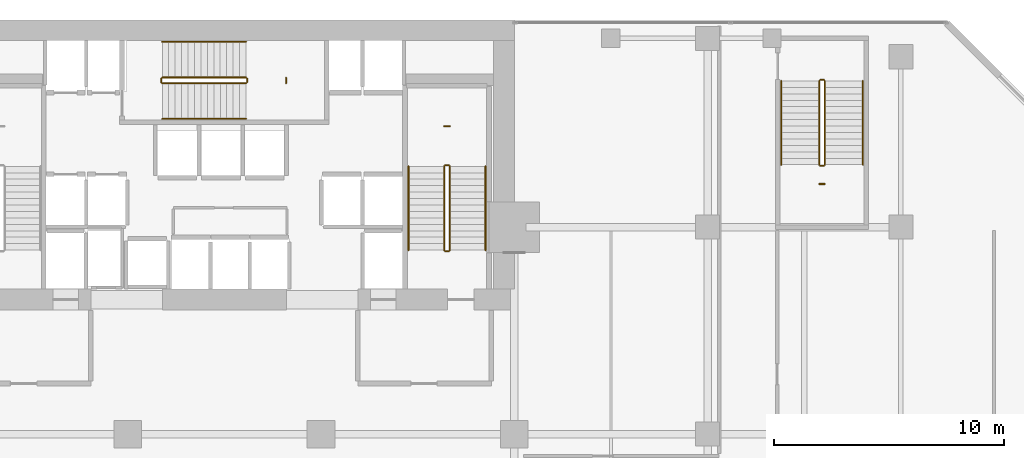
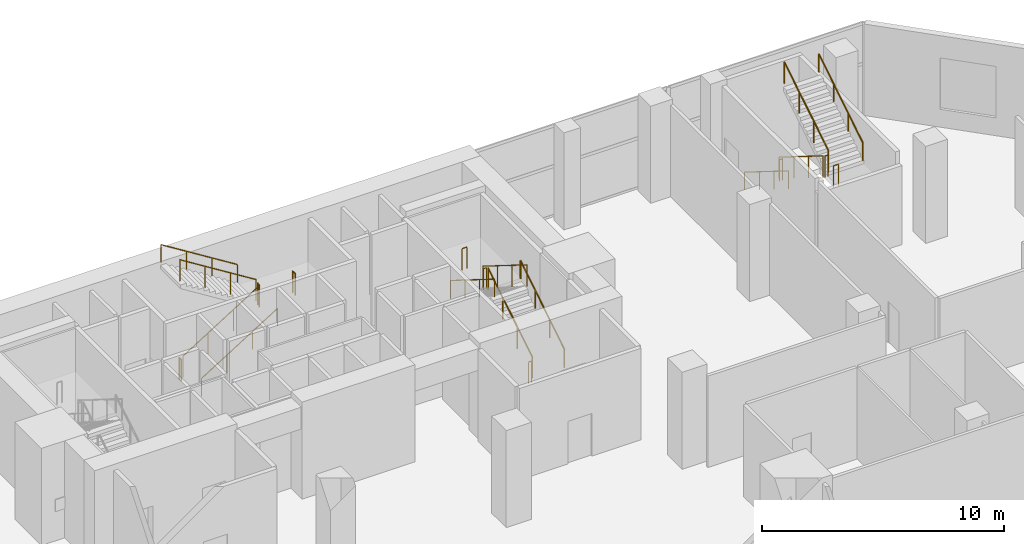
# One storey, part 39 of 39: 21 railings.
"""IFC4 building model written with IfcOpenShell, lengths in metres."""

from ifc_helpers import new_model, si_unit, direction, frame, origin, origin_2d, place, context, subcontext, project, spatial, circle, extrude, material, type_object, element, save


model = new_model("IFC4")

# Units and contexts
model_context = context("Model", 3, precision=1e-05, world=origin(), true_north=direction((0.0, 1.0)))
body_context = subcontext(model_context, "Body", "Model", "MODEL_VIEW")
ifc_project = project(units=[si_unit("LENGTHUNIT", "METRE"), si_unit("AREAUNIT", "SQUARE_METRE"), si_unit("VOLUMEUNIT", "CUBIC_METRE"), si_unit("PLANEANGLEUNIT", "RADIAN"), si_unit("MASSUNIT", "GRAM", prefix="KILO")], contexts=[model_context])

# Site, building, storey
site_placement = place(None, origin())
site = spatial("IfcSite", under=ifc_project, at=site_placement, CompositionType="ELEMENT")
building_placement = place(site_placement, origin())
building = spatial("IfcBuilding", under=site, at=building_placement, Name="Maruvema Waterfront Hotel and Observation Tower", CompositionType="ELEMENT")
storey_placement = place(building_placement, frame((0.0, 0.0, 16.449951171875)))
storey = spatial("IfcBuildingStorey", under=building, at=storey_placement, Name="L03", CompositionType="ELEMENT", Elevation=16.449951171875)

# Railings
ifc_material_1 = material(Name="Brushed stainless steel Grade 316", Category="steel")
railing_type_1 = type_object("IfcRailingType", Name="Ramp Continuous Wall Handrail 920 mm", PredefinedType="HANDRAIL", material=ifc_material_1)
railing_1_placement = place(storey_placement, frame((35.10009765625, 49.699951171875, 0.175048828125)))
element("IfcRailing", 1, at=railing_1_placement, inside=storey, type_object=railing_type_1, Name="L03 ST-02 stair handrail 1", PredefinedType="HANDRAIL", context=body_context, shape_type="SweptSolid", body=[
    extrude(circle(Radius=0.02392578125, at=origin_2d()), frame((0.0, 0.0, 0.89599609375), z_axis=(0.848001499411, 0.0, 0.52999382732), x_axis=(0.0, 1.0, 0.0)), (0.0, 0.0, 1.0), 4.292236328125),
    extrude(circle(Radius=0.02099609375, at=origin_2d()), origin(), (0.0, 0.0, 1.0), 0.871826171875),
    extrude(circle(Radius=0.02099609375, at=origin_2d()), frame((1.21337890625, 0.0, 0.75830078125)), (0.0, 0.0, 1.0), 0.871826171875),
    extrude(circle(Radius=0.02099609375, at=origin_2d()), frame((2.426513671875, 0.0, 1.5166015625)), (0.0, 0.0, 1.0), 0.871826171875),
    extrude(circle(Radius=0.02099609375, at=origin_2d()), frame((3.639892578125, 0.0, 2.27490234375)), (0.0, 0.0, 1.0), 0.871826171875),
])
railing_2_placement = place(storey_placement, frame((38.739990234375, 53.050048828125, 2.625)))
element("IfcRailing", 2, at=railing_2_placement, inside=storey, type_object=railing_type_1, Name="L03 ST-02 stair handrail 2", PredefinedType="HANDRAIL", context=body_context, shape_type="SweptSolid", body=[
    extrude(circle(Radius=0.02392578125, at=origin_2d()), frame((0.0, 0.0, 0.89599609375), z_axis=(-0.847975935976, 0.0, 0.530034727169), x_axis=(0.0, -1.0, 0.0)), (0.0, 0.0, 1.0), 4.29248046875),
    extrude(circle(Radius=0.02099609375, at=origin_2d()), origin(), (0.0, 0.0, 1.0), 0.871826171875),
    extrude(circle(Radius=0.02099609375, at=origin_2d()), frame((-1.21337890625, 0.0, 0.75830078125)), (0.0, 0.0, 1.0), 0.871826171875),
    extrude(circle(Radius=0.02099609375, at=origin_2d()), frame((-2.426513671875, 0.0, 1.516845703125)), (0.0, 0.0, 1.0), 0.871826171875),
    extrude(circle(Radius=0.02099609375, at=origin_2d()), frame((-3.639892578125, 0.0, 2.275146484375)), (0.0, 0.0, 1.0), 0.871826171875),
])
railing_3_placement = place(storey_placement, frame((49.14990234375, 44.0, 0.175048828125)))
element("IfcRailing", 3, at=railing_3_placement, inside=storey, type_object=railing_type_1, Name="L03 ST-03 stair handrail 1", PredefinedType="HANDRAIL", context=body_context, shape_type="SweptSolid", body=[
    extrude(circle(Radius=0.02392578125, at=origin_2d()), frame((0.0, 0.0, 0.89599609375), z_axis=(0.0, 0.848001499411, 0.52999382732), x_axis=(-1.0, 0.0, 0.0)), (0.0, 0.0, 1.0), 4.292236328125),
    extrude(circle(Radius=0.02099609375, at=origin_2d()), origin(), (0.0, 0.0, 1.0), 0.871826171875),
    extrude(circle(Radius=0.02099609375, at=origin_2d()), frame((0.0, 1.21337890625, 0.75830078125)), (0.0, 0.0, 1.0), 0.871826171875),
    extrude(circle(Radius=0.02099609375, at=origin_2d()), frame((0.0, 2.426513671875, 1.5166015625)), (0.0, 0.0, 1.0), 0.871826171875),
    extrude(circle(Radius=0.02099609375, at=origin_2d()), frame((0.0, 3.639892578125, 2.27490234375)), (0.0, 0.0, 1.0), 0.871826171875),
])
railing_4_placement = place(storey_placement, frame((45.800048828125, 47.639892578125, 2.625)))
element("IfcRailing", 4, at=railing_4_placement, inside=storey, type_object=railing_type_1, Name="L03 ST-03 stair handrail 2", PredefinedType="HANDRAIL", context=body_context, shape_type="SweptSolid", body=[
    extrude(circle(Radius=0.02392578125, at=origin_2d()), frame((0.0, 0.0, 0.89599609375), z_axis=(0.0, -0.847975935976, 0.530034727169), x_axis=(1.0, 0.0, 0.0)), (0.0, 0.0, 1.0), 4.29248046875),
    extrude(circle(Radius=0.02099609375, at=origin_2d()), origin(), (0.0, 0.0, 1.0), 0.871826171875),
    extrude(circle(Radius=0.02099609375, at=origin_2d()), frame((0.0, -1.21337890625, 0.75830078125)), (0.0, 0.0, 1.0), 0.871826171875),
    extrude(circle(Radius=0.02099609375, at=origin_2d()), frame((0.0, -2.426513671875, 1.516845703125)), (0.0, 0.0, 1.0), 0.871826171875),
    extrude(circle(Radius=0.02099609375, at=origin_2d()), frame((0.0, -3.639892578125, 2.275146484375)), (0.0, 0.0, 1.0), 0.871826171875),
])
railing_5_placement = place(storey_placement, frame((62.0, 51.35009765625, 0.175048828125)))
element("IfcRailing", 5, at=railing_5_placement, inside=storey, type_object=railing_type_1, Name="L03 ST-05 stair handrail 1", PredefinedType="HANDRAIL", context=body_context, shape_type="SweptSolid", body=[
    extrude(circle(Radius=0.02392578125, at=origin_2d()), frame((0.0, 0.0, 0.89599609375), z_axis=(0.0, -0.848017475052, 0.529968265093), x_axis=(1.0, 0.0, 0.0)), (0.0, 0.0, 1.0), 4.29248046875),
    extrude(circle(Radius=0.02099609375, at=origin_2d()), origin(), (0.0, 0.0, 1.0), 0.871826171875),
    extrude(circle(Radius=0.02099609375, at=origin_2d()), frame((0.0, -1.21337890625, 0.75830078125)), (0.0, 0.0, 1.0), 0.871826171875),
    extrude(circle(Radius=0.02099609375, at=origin_2d()), frame((0.0, -2.4267578125, 1.5166015625)), (0.0, 0.0, 1.0), 0.871826171875),
    extrude(circle(Radius=0.02099609375, at=origin_2d()), frame((0.0, -3.64013671875, 2.27490234375)), (0.0, 0.0, 1.0), 0.871826171875),
])
railing_6_placement = place(storey_placement, frame((65.550048828125, 47.7099609375, 2.625)))
element("IfcRailing", 6, at=railing_6_placement, inside=storey, type_object=railing_type_1, Name="L03 ST-05 stair handrail 2", PredefinedType="HANDRAIL", context=body_context, shape_type="SweptSolid", body=[
    extrude(circle(Radius=0.02392578125, at=origin_2d()), frame((0.0, 0.0, 0.89599609375), z_axis=(0.0, 0.847991913602, 0.530009164511), x_axis=(-1.0, 0.0, 0.0)), (0.0, 0.0, 1.0), 4.292724609375),
    extrude(circle(Radius=0.02099609375, at=origin_2d()), origin(), (0.0, 0.0, 1.0), 0.871826171875),
    extrude(circle(Radius=0.02099609375, at=origin_2d()), frame((0.0, 1.21337890625, 0.75830078125)), (0.0, 0.0, 1.0), 0.871826171875),
    extrude(circle(Radius=0.02099609375, at=origin_2d()), frame((0.0, 2.4267578125, 1.516845703125)), (0.0, 0.0, 1.0), 0.871826171875),
    extrude(circle(Radius=0.02099609375, at=origin_2d()), frame((0.0, 3.64013671875, 2.275146484375)), (0.0, 0.0, 1.0), 0.871826171875),
])
ifc_material_2 = material(Name="Brushed stainless steel Grade 316", Category="steel")
railing_type_2 = type_object("IfcRailingType", Name="Ramp and Terrace Guard Balustrade 1100 mm", PredefinedType="BALUSTRADE", material=ifc_material_2)
railing_7_placement = place(storey_placement, frame((35.10009765625, 51.25, 0.175048828125)))
element("IfcRailing", 7, at=railing_7_placement, inside=storey, type_object=railing_type_2, Name="L03 ST-02 stair guard 1", PredefinedType="BALUSTRADE", context=body_context, shape_type="SweptSolid", body=[
    extrude(circle(Radius=0.02392578125, at=origin_2d()), frame((0.0, 0.0, 1.076171875), z_axis=(0.848001499411, 0.0, 0.52999382732), x_axis=(0.0, 1.0, 0.0)), (0.0, 0.0, 1.0), 4.292236328125),
    extrude(circle(Radius=0.02099609375, at=origin_2d()), origin(), (0.0, 0.0, 1.0), 1.052001953125),
    extrude(circle(Radius=0.02099609375, at=origin_2d()), frame((1.21337890625, 0.0, 0.75830078125)), (0.0, 0.0, 1.0), 1.052001953125),
    extrude(circle(Radius=0.02099609375, at=origin_2d()), frame((2.426513671875, 0.0, 1.5166015625)), (0.0, 0.0, 1.0), 1.052001953125),
    extrude(circle(Radius=0.02099609375, at=origin_2d()), frame((3.639892578125, 0.0, 2.27490234375)), (0.0, 0.0, 1.0), 1.052001953125),
])
railing_8_placement = place(storey_placement, frame((38.7900390625, 51.300048828125, 2.449951171875)))
element("IfcRailing", 8, at=railing_8_placement, inside=storey, type_object=railing_type_2, Name="L03 ST-02 stair guard 2", PredefinedType="BALUSTRADE", context=body_context, shape_type="SweptSolid", body=[
    extrude(circle(Radius=0.02392578125, at=origin_2d()), frame((0.0, 0.0, 1.076171875), z_axis=(0.0, 1.0, 0.0), x_axis=(-1.0, 0.0, 0.0)), (0.0, 0.0, 1.0), 0.14990234375),
    extrude(circle(Radius=0.02099609375, at=origin_2d()), origin(), (0.0, 0.0, 1.0), 1.052001953125),
    extrude(circle(Radius=0.02099609375, at=origin_2d()), frame((0.0, 0.14990234375, 0.0)), (0.0, 0.0, 1.0), 1.052001953125),
])
railing_9_placement = place(storey_placement, frame((38.739990234375, 51.5, 2.625)))
element("IfcRailing", 9, at=railing_9_placement, inside=storey, type_object=railing_type_2, Name="L03 ST-02 stair guard 3", PredefinedType="BALUSTRADE", context=body_context, shape_type="SweptSolid", body=[
    extrude(circle(Radius=0.02392578125, at=origin_2d()), frame((0.0, 0.0, 1.076171875), z_axis=(-0.847975935976, 0.0, 0.530034727169), x_axis=(0.0, -1.0, 0.0)), (0.0, 0.0, 1.0), 4.29248046875),
    extrude(circle(Radius=0.02099609375, at=origin_2d()), origin(), (0.0, 0.0, 1.0), 1.052001953125),
    extrude(circle(Radius=0.02099609375, at=origin_2d()), frame((-1.21337890625, 0.0, 0.75830078125)), (0.0, 0.0, 1.0), 1.052001953125),
    extrude(circle(Radius=0.02099609375, at=origin_2d()), frame((-2.426513671875, 0.0, 1.516845703125)), (0.0, 0.0, 1.0), 1.052001953125),
    extrude(circle(Radius=0.02099609375, at=origin_2d()), frame((-3.639892578125, 0.0, 2.275146484375)), (0.0, 0.0, 1.0), 1.052001953125),
])
railing_10_placement = place(storey_placement, frame((35.050048828125, 51.300048828125, 0.0)))
element("IfcRailing", 10, at=railing_10_placement, inside=storey, type_object=railing_type_2, Name="L03 ST-02 stair guard 4", PredefinedType="BALUSTRADE", context=body_context, shape_type="SweptSolid", body=[
    extrude(circle(Radius=0.02392578125, at=origin_2d()), frame((0.0, 0.0, 1.076171875), z_axis=(0.0, 1.0, 0.0), x_axis=(-1.0, 0.0, 0.0)), (0.0, 0.0, 1.0), 0.14990234375),
    extrude(circle(Radius=0.02099609375, at=origin_2d()), origin(), (0.0, 0.0, 1.0), 1.052001953125),
    extrude(circle(Radius=0.02099609375, at=origin_2d()), frame((0.0, 0.14990234375, 0.0)), (0.0, 0.0, 1.0), 1.052001953125),
])
railing_11_placement = place(storey_placement, frame((40.47998046875, 51.260009765625, 2.449951171875)))
element("IfcRailing", 11, at=railing_11_placement, inside=storey, type_object=railing_type_2, Name="L03 ST-02 Half-Landing Slot Guard", PredefinedType="BALUSTRADE", context=body_context, shape_type="SweptSolid", body=[
    extrude(circle(Radius=0.02392578125, at=origin_2d()), frame((0.0, 0.0, 1.076171875), z_axis=(0.0, 1.0, 0.0), x_axis=(-1.0, 0.0, 0.0)), (0.0, 0.0, 1.0), 0.22998046875),
    extrude(circle(Radius=0.02099609375, at=origin_2d()), origin(), (0.0, 0.0, 1.0), 1.052001953125),
    extrude(circle(Radius=0.02099609375, at=origin_2d()), frame((0.0, 0.22998046875, 0.0)), (0.0, 0.0, 1.0), 1.052001953125),
])
railing_12_placement = place(storey_placement, frame((47.60009765625, 44.0, 0.175048828125)))
element("IfcRailing", 12, at=railing_12_placement, inside=storey, type_object=railing_type_2, Name="L03 ST-03 stair guard 1", PredefinedType="BALUSTRADE", context=body_context, shape_type="SweptSolid", body=[
    extrude(circle(Radius=0.02392578125, at=origin_2d()), frame((0.0, 0.0, 1.076171875), z_axis=(0.0, 0.848001499411, 0.52999382732), x_axis=(-1.0, 0.0, 0.0)), (0.0, 0.0, 1.0), 4.292236328125),
    extrude(circle(Radius=0.02099609375, at=origin_2d()), origin(), (0.0, 0.0, 1.0), 1.052001953125),
    extrude(circle(Radius=0.02099609375, at=origin_2d()), frame((0.0, 1.21337890625, 0.75830078125)), (0.0, 0.0, 1.0), 1.052001953125),
    extrude(circle(Radius=0.02099609375, at=origin_2d()), frame((0.0, 2.426513671875, 1.5166015625)), (0.0, 0.0, 1.0), 1.052001953125),
    extrude(circle(Radius=0.02099609375, at=origin_2d()), frame((0.0, 3.639892578125, 2.27490234375)), (0.0, 0.0, 1.0), 1.052001953125),
])
railing_13_placement = place(storey_placement, frame((47.550048828125, 47.68994140625, 2.449951171875)))
element("IfcRailing", 13, at=railing_13_placement, inside=storey, type_object=railing_type_2, Name="L03 ST-03 stair guard 2", PredefinedType="BALUSTRADE", context=body_context, shape_type="SweptSolid", body=[
    extrude(circle(Radius=0.02392578125, at=origin_2d()), frame((0.0, 0.0, 1.076171875), z_axis=(-1.0, 0.0, 0.0), x_axis=(0.0, -1.0, 0.0)), (0.0, 0.0, 1.0), 0.150146484375),
    extrude(circle(Radius=0.02099609375, at=origin_2d()), origin(), (0.0, 0.0, 1.0), 1.052001953125),
    extrude(circle(Radius=0.02099609375, at=origin_2d()), frame((-0.150146484375, 0.0, 0.0)), (0.0, 0.0, 1.0), 1.052001953125),
])
railing_14_placement = place(storey_placement, frame((47.35009765625, 47.639892578125, 2.625)))
element("IfcRailing", 14, at=railing_14_placement, inside=storey, type_object=railing_type_2, Name="L03 ST-03 stair guard 3", PredefinedType="BALUSTRADE", context=body_context, shape_type="SweptSolid", body=[
    extrude(circle(Radius=0.02392578125, at=origin_2d()), frame((0.0, 0.0, 1.076171875), z_axis=(0.0, -0.847975935976, 0.530034727169), x_axis=(1.0, 0.0, 0.0)), (0.0, 0.0, 1.0), 4.29248046875),
    extrude(circle(Radius=0.02099609375, at=origin_2d()), origin(), (0.0, 0.0, 1.0), 1.052001953125),
    extrude(circle(Radius=0.02099609375, at=origin_2d()), frame((0.0, -1.21337890625, 0.75830078125)), (0.0, 0.0, 1.0), 1.052001953125),
    extrude(circle(Radius=0.02099609375, at=origin_2d()), frame((0.0, -2.426513671875, 1.516845703125)), (0.0, 0.0, 1.0), 1.052001953125),
    extrude(circle(Radius=0.02099609375, at=origin_2d()), frame((0.0, -3.639892578125, 2.275146484375)), (0.0, 0.0, 1.0), 1.052001953125),
])
railing_15_placement = place(storey_placement, frame((47.550048828125, 43.949951171875, 0.0)))
element("IfcRailing", 15, at=railing_15_placement, inside=storey, type_object=railing_type_2, Name="L03 ST-03 stair guard 4", PredefinedType="BALUSTRADE", context=body_context, shape_type="SweptSolid", body=[
    extrude(circle(Radius=0.02392578125, at=origin_2d()), frame((0.0, 0.0, 1.076171875), z_axis=(-1.0, 0.0, 0.0), x_axis=(0.0, -1.0, 0.0)), (0.0, 0.0, 1.0), 0.150146484375),
    extrude(circle(Radius=0.02099609375, at=origin_2d()), origin(), (0.0, 0.0, 1.0), 1.052001953125),
    extrude(circle(Radius=0.02099609375, at=origin_2d()), frame((-0.150146484375, 0.0, 0.0)), (0.0, 0.0, 1.0), 1.052001953125),
])
railing_16_placement = place(storey_placement, frame((47.590087890625, 49.3798828125, 2.449951171875)))
element("IfcRailing", 16, at=railing_16_placement, inside=storey, type_object=railing_type_2, Name="L03 ST-03 Half-Landing Slot Guard", PredefinedType="BALUSTRADE", context=body_context, shape_type="SweptSolid", body=[
    extrude(circle(Radius=0.02392578125, at=origin_2d()), frame((0.0, 0.0, 1.076171875), z_axis=(-1.0, 0.0, 0.0), x_axis=(0.0, -1.0, 0.0)), (0.0, 0.0, 1.0), 0.22998046875),
    extrude(circle(Radius=0.02099609375, at=origin_2d()), origin(), (0.0, 0.0, 1.0), 1.052001953125),
    extrude(circle(Radius=0.02099609375, at=origin_2d()), frame((-0.22998046875, 0.0, 0.0)), (0.0, 0.0, 1.0), 1.052001953125),
])
railing_17_placement = place(storey_placement, frame((63.64990234375, 51.35009765625, 0.175048828125)))
element("IfcRailing", 17, at=railing_17_placement, inside=storey, type_object=railing_type_2, Name="L03 ST-05 stair guard 1", PredefinedType="BALUSTRADE", context=body_context, shape_type="SweptSolid", body=[
    extrude(circle(Radius=0.02392578125, at=origin_2d()), frame((0.0, 0.0, 1.076171875), z_axis=(0.0, -0.848017475052, 0.529968265093), x_axis=(1.0, 0.0, 0.0)), (0.0, 0.0, 1.0), 4.29248046875),
    extrude(circle(Radius=0.02099609375, at=origin_2d()), origin(), (0.0, 0.0, 1.0), 1.052001953125),
    extrude(circle(Radius=0.02099609375, at=origin_2d()), frame((0.0, -1.21337890625, 0.75830078125)), (0.0, 0.0, 1.0), 1.052001953125),
    extrude(circle(Radius=0.02099609375, at=origin_2d()), frame((0.0, -2.4267578125, 1.5166015625)), (0.0, 0.0, 1.0), 1.052001953125),
    extrude(circle(Radius=0.02099609375, at=origin_2d()), frame((0.0, -3.64013671875, 2.27490234375)), (0.0, 0.0, 1.0), 1.052001953125),
])
railing_18_placement = place(storey_placement, frame((63.699951171875, 47.659912109375, 2.449951171875)))
element("IfcRailing", 18, at=railing_18_placement, inside=storey, type_object=railing_type_2, Name="L03 ST-05 stair guard 2", PredefinedType="BALUSTRADE", context=body_context, shape_type="SweptSolid", body=[
    extrude(circle(Radius=0.02392578125, at=origin_2d()), frame((0.0, 0.0, 1.076171875), z_axis=(1.0, 0.0, 0.0), x_axis=(0.0, 1.0, 0.0)), (0.0, 0.0, 1.0), 0.150146484375),
    extrude(circle(Radius=0.02099609375, at=origin_2d()), origin(), (0.0, 0.0, 1.0), 1.052001953125),
    extrude(circle(Radius=0.02099609375, at=origin_2d()), frame((0.150146484375, 0.0, 0.0)), (0.0, 0.0, 1.0), 1.052001953125),
])
railing_19_placement = place(storey_placement, frame((63.89990234375, 47.7099609375, 2.625)))
element("IfcRailing", 19, at=railing_19_placement, inside=storey, type_object=railing_type_2, Name="L03 ST-05 stair guard 3", PredefinedType="BALUSTRADE", context=body_context, shape_type="SweptSolid", body=[
    extrude(circle(Radius=0.02392578125, at=origin_2d()), frame((0.0, 0.0, 1.076171875), z_axis=(0.0, 0.847991913602, 0.530009164511), x_axis=(-1.0, 0.0, 0.0)), (0.0, 0.0, 1.0), 4.292724609375),
    extrude(circle(Radius=0.02099609375, at=origin_2d()), origin(), (0.0, 0.0, 1.0), 1.052001953125),
    extrude(circle(Radius=0.02099609375, at=origin_2d()), frame((0.0, 1.21337890625, 0.75830078125)), (0.0, 0.0, 1.0), 1.052001953125),
    extrude(circle(Radius=0.02099609375, at=origin_2d()), frame((0.0, 2.4267578125, 1.516845703125)), (0.0, 0.0, 1.0), 1.052001953125),
    extrude(circle(Radius=0.02099609375, at=origin_2d()), frame((0.0, 3.64013671875, 2.275146484375)), (0.0, 0.0, 1.0), 1.052001953125),
])
railing_20_placement = place(storey_placement, frame((63.699951171875, 51.39990234375, 0.0)))
element("IfcRailing", 20, at=railing_20_placement, inside=storey, type_object=railing_type_2, Name="L03 ST-05 stair guard 4", PredefinedType="BALUSTRADE", context=body_context, shape_type="SweptSolid", body=[
    extrude(circle(Radius=0.02392578125, at=origin_2d()), frame((0.0, 0.0, 1.076171875), z_axis=(1.0, 0.0, 0.0), x_axis=(0.0, 1.0, 0.0)), (0.0, 0.0, 1.0), 0.150146484375),
    extrude(circle(Radius=0.02099609375, at=origin_2d()), origin(), (0.0, 0.0, 1.0), 1.052001953125),
    extrude(circle(Radius=0.02099609375, at=origin_2d()), frame((0.150146484375, 0.0, 0.0)), (0.0, 0.0, 1.0), 1.052001953125),
])
railing_21_placement = place(storey_placement, frame((63.659912109375, 46.8701171875, 2.449951171875)))
element("IfcRailing", 21, at=railing_21_placement, inside=storey, type_object=railing_type_2, Name="L03 ST-05 Half-Landing Slot Guard", PredefinedType="BALUSTRADE", context=body_context, shape_type="SweptSolid", body=[
    extrude(circle(Radius=0.02392578125, at=origin_2d()), frame((0.0, 0.0, 1.076171875), z_axis=(1.0, 0.0, 0.0), x_axis=(0.0, 1.0, 0.0)), (0.0, 0.0, 1.0), 0.22998046875),
    extrude(circle(Radius=0.02099609375, at=origin_2d()), origin(), (0.0, 0.0, 1.0), 1.052001953125),
    extrude(circle(Radius=0.02099609375, at=origin_2d()), frame((0.22998046875, 0.0, 0.0)), (0.0, 0.0, 1.0), 1.052001953125),
])

save(model, "model.ifc")
